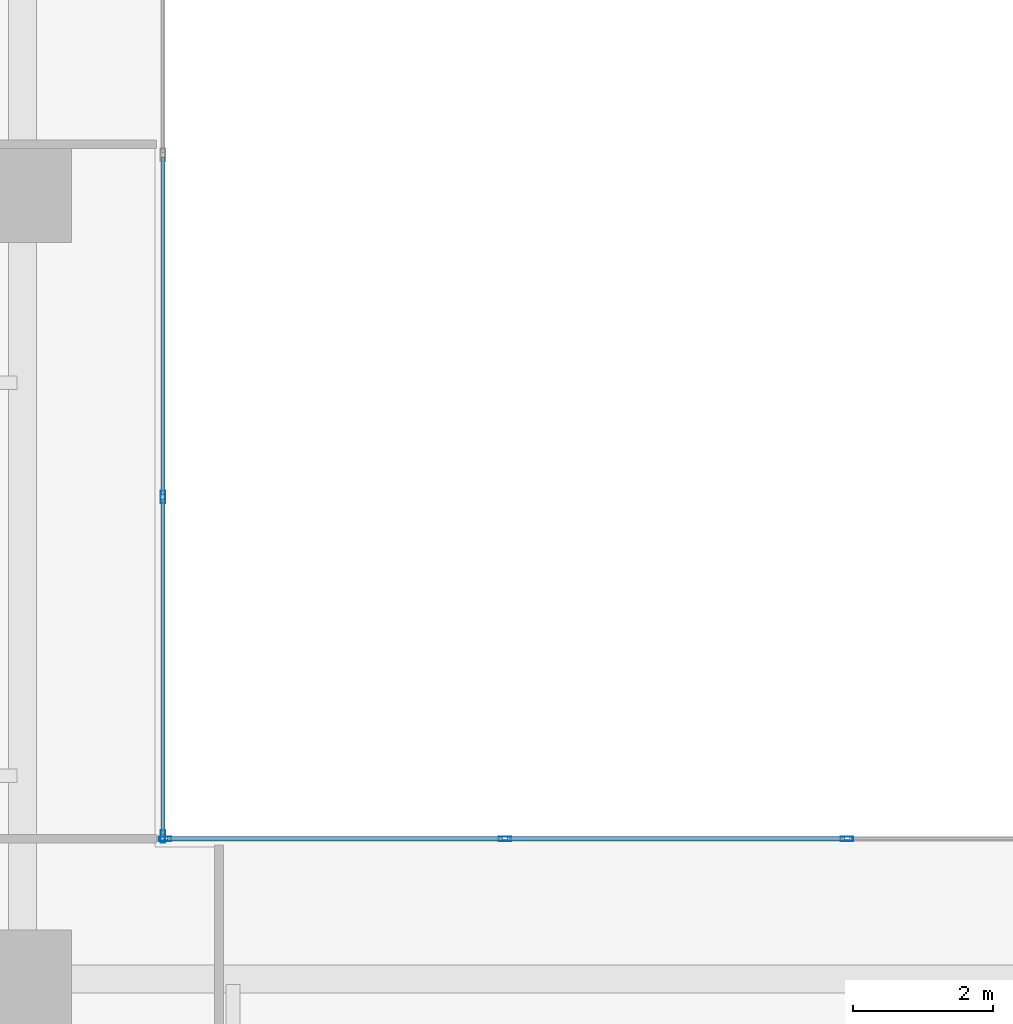
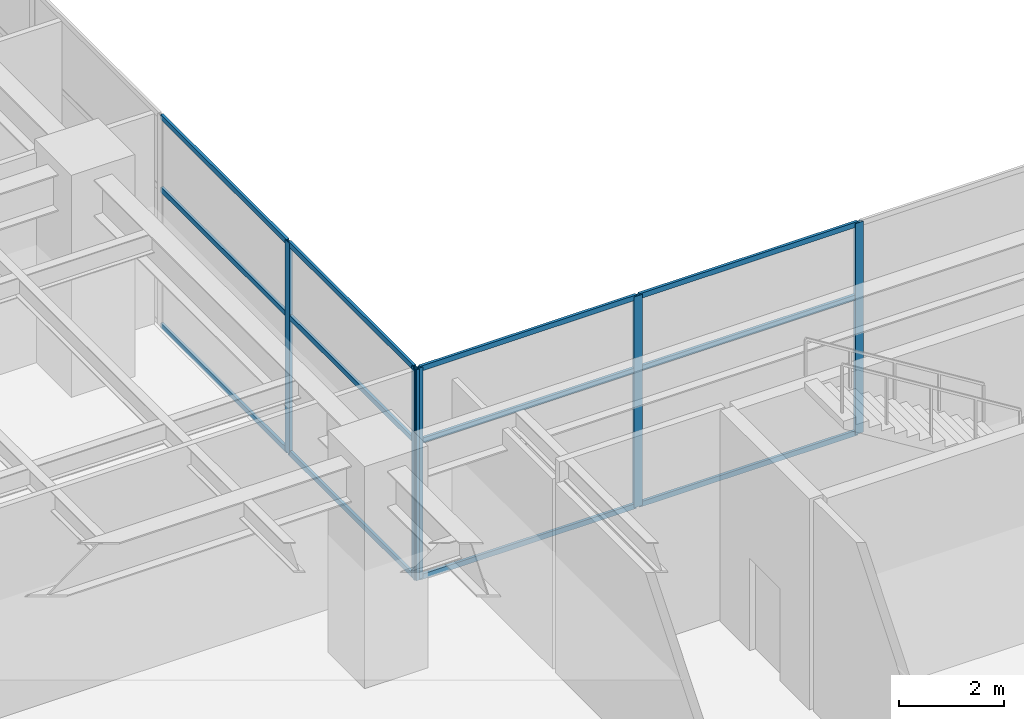
# One storey, part 15 of 29: 17 members, 2 elements without a shape of their own.
"""IFC4 building model written with IfcOpenShell, lengths in metres."""

from ifc_helpers import new_model, si_unit, direction, frame, origin, origin_2d, place, context, subcontext, project, spatial, hollow_rectangle, extrude, material, layer, layer_set, material_profile, profile_set, type_object, element, aggregate, save


model = new_model("IFC4")

# Units and contexts
model_context = context("Model", 3, precision=1e-05, world=origin(), true_north=direction((0.0, 1.0)))
body_context = subcontext(model_context, "Body", "Model", "MODEL_VIEW")
ifc_project = project(units=[si_unit("LENGTHUNIT", "METRE"), si_unit("AREAUNIT", "SQUARE_METRE"), si_unit("VOLUMEUNIT", "CUBIC_METRE"), si_unit("PLANEANGLEUNIT", "RADIAN"), si_unit("MASSUNIT", "GRAM", prefix="KILO")], contexts=[model_context])

# Site, building, storey
site_placement = place(None, origin())
site = spatial("IfcSite", under=ifc_project, at=site_placement, CompositionType="ELEMENT")
building_placement = place(site_placement, origin())
building = spatial("IfcBuilding", under=site, at=building_placement, Name="Mawjaban Terraces University", CompositionType="ELEMENT")
storey_placement = place(building_placement, frame((0.0, 0.0, 15.60009765625)))
storey = spatial("IfcBuildingStorey", under=building, at=storey_placement, Name="L03", CompositionType="ELEMENT", Elevation=15.60009765625)

# Curtain wall, members
ifc_material_1 = material(Name="Anodised aluminium 6063-T6 and solar-control low-E glass", Category="aluminium")
ifc_layer = layer(ifc_material_1, 0.175048828125)
ifc_layer_set = layer_set([ifc_layer], Name="Anodised aluminium 6063-T6 and solar-control low-E glass")
curtain_wall_type = type_object("IfcCurtainWallType", Name="CWSystem_02_PodiumLibrary", PredefinedType="NOTDEFINED", material=ifc_layer_set)
curtain_wall_1_placement = place(storey_placement, origin())
curtain_wall_1 = element("IfcCurtainWall", 1, at=curtain_wall_1_placement, inside=storey, type_object=curtain_wall_type, Name="L03 Curtain Wall CW-02 Run 5.1", PredefinedType="NOTDEFINED")
ifc_material_2 = material(Name="Anodised aluminium 6063-T6", Category="aluminium")
ifc_material_profile_1 = material_profile(ifc_material_2, hollow_rectangle(XDim=0.06494140625, YDim=0.179931640625, WallThickness=0.00390625, at=origin_2d()), Name="ALU180X65X4")
ifc_profile_set_1 = profile_set([ifc_material_profile_1], Name="Anodised aluminium 6063-T6")
member_type_1 = type_object("IfcMemberType", Name="Mullion_CW-02", PredefinedType="MULLION", material=ifc_profile_set_1)
member_1_placement = place(storey_placement, frame((63.75, 32.0, 0.0), z_axis=(0.0, 0.0, 1.0), x_axis=(0.0, -1.0, 0.0)))
member_1 = element("IfcMember", 2, at=member_1_placement, type_object=member_type_1, Name="CW-02 mullion 3", PredefinedType="MULLION", context=body_context, shape_type="SweptSolid", body=[
    extrude(hollow_rectangle(XDim=0.06494140625, YDim=0.179931640625, WallThickness=0.00390625, at=origin_2d()), origin(), (0.0, 0.0, 1.0), 4.919921875),
])
member_2_placement = place(storey_placement, frame((58.875, 32.0, 0.0), z_axis=(0.0, 0.0, 1.0), x_axis=(0.0, -1.0, 0.0)))
member_2 = element("IfcMember", 3, at=member_2_placement, type_object=member_type_1, Name="CW-02 mullion 4", PredefinedType="MULLION", context=body_context, shape_type="SweptSolid", body=[
    extrude(hollow_rectangle(XDim=0.06494140625, YDim=0.179931640625, WallThickness=0.00390625, at=origin_2d()), origin(), (0.0, 0.0, 1.0), 4.919921875),
])
member_3_placement = place(storey_placement, frame((54.032470703125, 32.0, 0.0), z_axis=(0.0, 0.0, 1.0), x_axis=(0.0, -1.0, 0.0)))
member_3 = element("IfcMember", 4, at=member_3_placement, type_object=member_type_1, Name="CW-02 mullion 5", PredefinedType="MULLION", context=body_context, shape_type="SweptSolid", body=[
    extrude(hollow_rectangle(XDim=0.06494140625, YDim=0.179931640625, WallThickness=0.00390625, at=origin_2d()), origin(), (0.0, 0.0, 1.0), 4.919921875),
])

curtain_wall_2_placement = place(storey_placement, origin())
curtain_wall_2 = element("IfcCurtainWall", 5, at=curtain_wall_2_placement, inside=storey, type_object=curtain_wall_type, Name="L03 Curtain Wall CW-02 Run 6.1", PredefinedType="NOTDEFINED")
member_4_placement = place(storey_placement, frame((54.0, 32.032470703125, 0.0), z_axis=(0.0, 0.0, 1.0), x_axis=(-1.0, 0.0, 0.0)))
member_4 = element("IfcMember", 6, at=member_4_placement, type_object=member_type_1, Name="CW-02 mullion 1", PredefinedType="MULLION", context=body_context, shape_type="SweptSolid", body=[
    extrude(hollow_rectangle(XDim=0.06494140625, YDim=0.179931640625, WallThickness=0.00390625, at=origin_2d()), origin(), (0.0, 0.0, 1.0), 4.919921875),
])
member_5_placement = place(storey_placement, frame((54.0, 36.875, 0.0), z_axis=(0.0, 0.0, 1.0), x_axis=(-1.0, 0.0, 0.0)))
member_5 = element("IfcMember", 7, at=member_5_placement, type_object=member_type_1, Name="CW-02 mullion 2", PredefinedType="MULLION", context=body_context, shape_type="SweptSolid", body=[
    extrude(hollow_rectangle(XDim=0.06494140625, YDim=0.179931640625, WallThickness=0.00390625, at=origin_2d()), origin(), (0.0, 0.0, 1.0), 4.919921875),
])

# Member
ifc_material_profile_2 = material_profile(ifc_material_2, hollow_rectangle(XDim=0.06005859375, YDim=0.1201171875, WallThickness=0.00341796875, at=origin_2d()), Name="ALU120X60X3.5")
ifc_profile_set_2 = profile_set([ifc_material_profile_2], Name="Anodised aluminium 6063-T6")
member_type_2 = type_object("IfcMemberType", Name="Transom_CW-02", PredefinedType="NOTDEFINED", material=ifc_profile_set_2)
member_6_placement = place(storey_placement, frame((63.717529296875, 32.0, 0.02978515625), z_axis=(-1.0, 0.0, 0.0), x_axis=(0.0, -1.0, 0.0)))
member_6 = element("IfcMember", 8, at=member_6_placement, type_object=member_type_2, Name="CW-02 transom 3.1", ObjectType="TRANSOM", PredefinedType="USERDEFINED", context=body_context, shape_type="SweptSolid", body=[
    extrude(hollow_rectangle(XDim=0.06005859375, YDim=0.1201171875, WallThickness=0.00341796875, at=origin_2d()), origin(), (0.0, 0.0, 1.0), 4.81005859375),
])

member_7_placement = place(storey_placement, frame((63.717529296875, 32.0, 3.197998046875), z_axis=(-1.0, 0.0, 0.0), x_axis=(0.0, -1.0, 0.0)))
member_7 = element("IfcMember", 9, at=member_7_placement, type_object=member_type_2, Name="CW-02 transom 3.2", ObjectType="TRANSOM", PredefinedType="USERDEFINED", context=body_context, shape_type="SweptSolid", body=[
    extrude(hollow_rectangle(XDim=0.06005859375, YDim=0.1201171875, WallThickness=0.00341796875, at=origin_2d()), origin(), (0.0, 0.0, 1.0), 4.81005859375),
])

member_8_placement = place(storey_placement, frame((63.717529296875, 32.0, 4.889892578125), z_axis=(-1.0, 0.0, 0.0), x_axis=(0.0, -1.0, 0.0)))
member_8 = element("IfcMember", 10, at=member_8_placement, type_object=member_type_2, Name="CW-02 transom 3.3", ObjectType="TRANSOM", PredefinedType="USERDEFINED", context=body_context, shape_type="SweptSolid", body=[
    extrude(hollow_rectangle(XDim=0.06005859375, YDim=0.1201171875, WallThickness=0.00341796875, at=origin_2d()), origin(), (0.0, 0.0, 1.0), 4.81005859375),
])

member_9_placement = place(storey_placement, frame((58.842529296875, 32.0, 0.02978515625), z_axis=(-1.0, 0.0, 0.0), x_axis=(0.0, -1.0, 0.0)))
member_9 = element("IfcMember", 11, at=member_9_placement, type_object=member_type_2, Name="CW-02 transom 4.1", ObjectType="TRANSOM", PredefinedType="USERDEFINED", context=body_context, shape_type="SweptSolid", body=[
    extrude(hollow_rectangle(XDim=0.06005859375, YDim=0.1201171875, WallThickness=0.00341796875, at=origin_2d()), origin(), (0.0, 0.0, 1.0), 4.777587890625),
])

member_10_placement = place(storey_placement, frame((58.842529296875, 32.0, 3.197998046875), z_axis=(-1.0, 0.0, 0.0), x_axis=(0.0, -1.0, 0.0)))
member_10 = element("IfcMember", 12, at=member_10_placement, type_object=member_type_2, Name="CW-02 transom 4.2", ObjectType="TRANSOM", PredefinedType="USERDEFINED", context=body_context, shape_type="SweptSolid", body=[
    extrude(hollow_rectangle(XDim=0.06005859375, YDim=0.1201171875, WallThickness=0.00341796875, at=origin_2d()), origin(), (0.0, 0.0, 1.0), 4.777587890625),
])

member_11_placement = place(storey_placement, frame((58.842529296875, 32.0, 4.889892578125), z_axis=(-1.0, 0.0, 0.0), x_axis=(0.0, -1.0, 0.0)))
member_11 = element("IfcMember", 13, at=member_11_placement, type_object=member_type_2, Name="CW-02 transom 4.3", ObjectType="TRANSOM", PredefinedType="USERDEFINED", context=body_context, shape_type="SweptSolid", body=[
    extrude(hollow_rectangle(XDim=0.06005859375, YDim=0.1201171875, WallThickness=0.00341796875, at=origin_2d()), origin(), (0.0, 0.0, 1.0), 4.777587890625),
])

aggregate(curtain_wall_1, [member_1, member_2, member_3, member_6, member_7, member_8, member_9, member_10, member_11])

member_12_placement = place(storey_placement, frame((54.0, 32.06494140625, 0.02978515625), z_axis=(0.0, 1.0, 0.0), x_axis=(-1.0, 0.0, 0.0)))
member_12 = element("IfcMember", 14, at=member_12_placement, type_object=member_type_2, Name="CW-02 transom 1.1", ObjectType="TRANSOM", PredefinedType="USERDEFINED", context=body_context, shape_type="SweptSolid", body=[
    extrude(hollow_rectangle(XDim=0.06005859375, YDim=0.1201171875, WallThickness=0.00341796875, at=origin_2d()), origin(), (0.0, 0.0, 1.0), 4.777587890625),
])

member_13_placement = place(storey_placement, frame((54.0, 32.06494140625, 3.197998046875), z_axis=(0.0, 1.0, 0.0), x_axis=(-1.0, 0.0, 0.0)))
member_13 = element("IfcMember", 15, at=member_13_placement, type_object=member_type_2, Name="CW-02 transom 1.2", ObjectType="TRANSOM", PredefinedType="USERDEFINED", context=body_context, shape_type="SweptSolid", body=[
    extrude(hollow_rectangle(XDim=0.06005859375, YDim=0.1201171875, WallThickness=0.00341796875, at=origin_2d()), origin(), (0.0, 0.0, 1.0), 4.777587890625),
])

member_14_placement = place(storey_placement, frame((54.0, 32.06494140625, 4.889892578125), z_axis=(0.0, 1.0, 0.0), x_axis=(-1.0, 0.0, 0.0)))
member_14 = element("IfcMember", 16, at=member_14_placement, type_object=member_type_2, Name="CW-02 transom 1.3", ObjectType="TRANSOM", PredefinedType="USERDEFINED", context=body_context, shape_type="SweptSolid", body=[
    extrude(hollow_rectangle(XDim=0.06005859375, YDim=0.1201171875, WallThickness=0.00341796875, at=origin_2d()), origin(), (0.0, 0.0, 1.0), 4.777587890625),
])

member_15_placement = place(storey_placement, frame((54.0, 36.907470703125, 0.02978515625), z_axis=(0.0, 1.0, 0.0), x_axis=(-1.0, 0.0, 0.0)))
member_15 = element("IfcMember", 17, at=member_15_placement, type_object=member_type_2, Name="CW-02 transom 2.1", ObjectType="TRANSOM", PredefinedType="USERDEFINED", context=body_context, shape_type="SweptSolid", body=[
    extrude(hollow_rectangle(XDim=0.06005859375, YDim=0.1201171875, WallThickness=0.00341796875, at=origin_2d()), origin(), (0.0, 0.0, 1.0), 4.81005859375),
])

member_16_placement = place(storey_placement, frame((54.0, 36.907470703125, 3.197998046875), z_axis=(0.0, 1.0, 0.0), x_axis=(-1.0, 0.0, 0.0)))
member_16 = element("IfcMember", 18, at=member_16_placement, type_object=member_type_2, Name="CW-02 transom 2.2", ObjectType="TRANSOM", PredefinedType="USERDEFINED", context=body_context, shape_type="SweptSolid", body=[
    extrude(hollow_rectangle(XDim=0.06005859375, YDim=0.1201171875, WallThickness=0.00341796875, at=origin_2d()), origin(), (0.0, 0.0, 1.0), 4.81005859375),
])

member_17_placement = place(storey_placement, frame((54.0, 36.907470703125, 4.889892578125), z_axis=(0.0, 1.0, 0.0), x_axis=(-1.0, 0.0, 0.0)))
member_17 = element("IfcMember", 19, at=member_17_placement, type_object=member_type_2, Name="CW-02 transom 2.3", ObjectType="TRANSOM", PredefinedType="USERDEFINED", context=body_context, shape_type="SweptSolid", body=[
    extrude(hollow_rectangle(XDim=0.06005859375, YDim=0.1201171875, WallThickness=0.00341796875, at=origin_2d()), origin(), (0.0, 0.0, 1.0), 4.81005859375),
])

aggregate(curtain_wall_2, [member_4, member_5, member_12, member_13, member_14, member_15, member_16, member_17])

save(model, "model.ifc")
